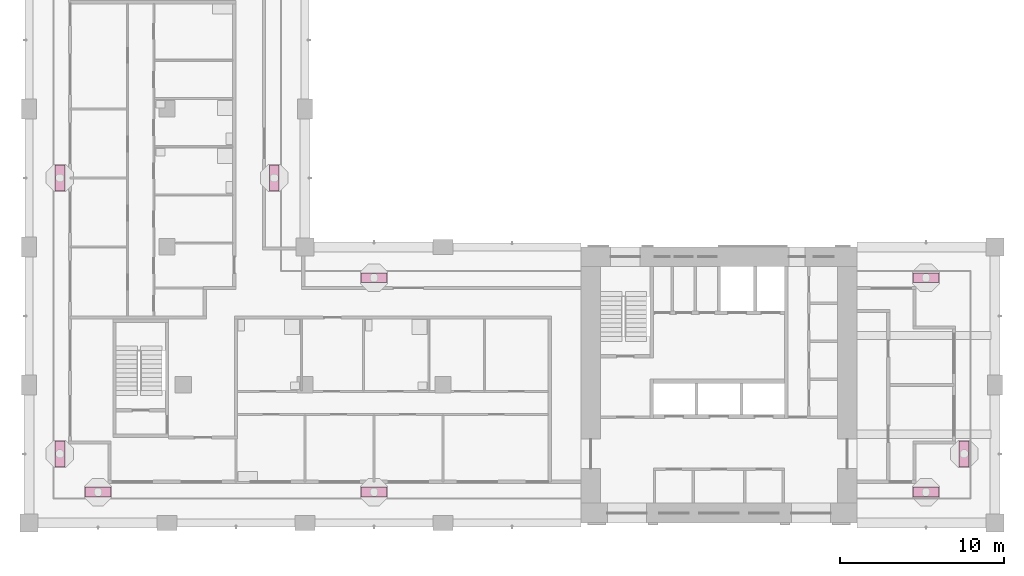
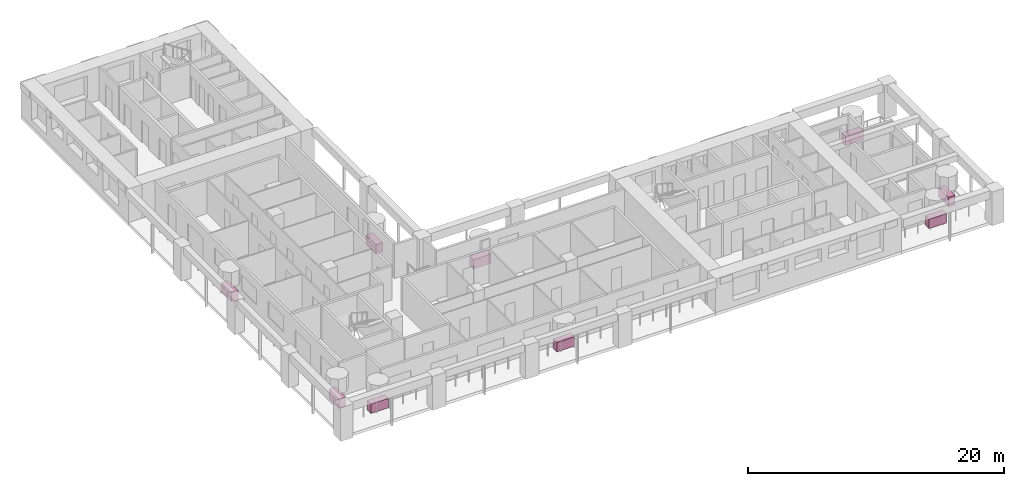
# One storey, part 12 of 13: 9 furniture elements.
"""IFC4 building model written with IfcOpenShell, lengths in metres."""

import ifcopenshell
import ifcopenshell.guid

model = None  # the IFC model being written
_history = None  # IfcOwnerHistory: only IFC2X3 demands one
_inside = {}  # id of a spatial element -> (the spatial element, [elements in it])
_under = {}  # id of a project, library or spatial element -> (it, [spatial elements below it])
_declared = {}  # id of a project -> (the project, [libraries it declares])
_typed = {}  # id of a type object -> (the type object, [elements of that type])
_made_of = {}  # id of a material, layer set ... -> (it, [elements and type objects made of it])


def new_model(schema):
    """Start an empty IFC model of exactly this schema.

    Asked for "IFC4X3", IfcOpenShell would pick the latest addendum, in which some entities
    have other attributes; the version numbers below select the first issue.
    IFC2X3 requires an IfcOwnerHistory on every rooted entity: one is made here for all.
    """
    global model, _history
    if schema == "IFC4X3":
        model = ifcopenshell.file(schema_version=(4, 3, 0, 0))
    else:
        model = ifcopenshell.file(schema=schema)
    _inside.clear()
    _under.clear()
    _declared.clear()
    _typed.clear()
    _made_of.clear()
    _history = None
    if model.schema == "IFC2X3":
        org = make("IfcOrganization", Name="unknown")
        user = make(
            "IfcPersonAndOrganization",
            ThePerson=make("IfcPerson", FamilyName="unknown"),
            TheOrganization=org,
        )
        app = make(
            "IfcApplication",
            ApplicationDeveloper=org,
            Version="unknown",
            ApplicationFullName="unknown",
            ApplicationIdentifier="unknown",
        )
        _history = make(
            "IfcOwnerHistory",
            OwningUser=user,
            OwningApplication=app,
            ChangeAction="ADDED",
            CreationDate=0,
        )
    return model


def make(cls, **values):
    """One entity of the class cls with the attributes given. An attribute that is None is left unset."""
    return model.create_entity(
        cls, **{name: value for name, value in values.items() if value is not None}
    )


def rooted(cls, **values):
    """An entity with a GlobalId (a new one), such as an element, a storey or a relation."""
    return make(cls, GlobalId=ifcopenshell.guid.new(), OwnerHistory=_history, **values)


def si_unit(unit_type, name, prefix=None):
    """IfcSIUnit, for example si_unit("LENGTHUNIT", "METRE", prefix="MILLI")."""
    return make("IfcSIUnit", UnitType=unit_type, Prefix=prefix, Name=name)


def assignment(units):
    """IfcUnitAssignment: the units of a project."""
    return None if units is None else make("IfcUnitAssignment", Units=units)


def point(xyz):
    """IfcCartesianPoint."""
    return None if xyz is None else make("IfcCartesianPoint", Coordinates=xyz)


def direction(xyz):
    """IfcDirection."""
    return None if xyz is None else make("IfcDirection", DirectionRatios=xyz)


def frame(location, z_axis=None, x_axis=None):
    """IfcAxis2Placement3D, a coordinate frame: its origin and axes. An axis left out is left unset."""
    return make(
        "IfcAxis2Placement3D",
        Location=point(location),
        Axis=direction(z_axis),
        RefDirection=direction(x_axis),
    )


def frame_2d(location, x_axis=None):
    """IfcAxis2Placement2D, a coordinate frame in the plane: its origin and x axis."""
    return make(
        "IfcAxis2Placement2D", Location=point(location), RefDirection=direction(x_axis)
    )


def origin():
    """The frame at (0, 0, 0) with its axes left unset."""
    return frame((0.0, 0.0, 0.0))


def origin_2d():
    """The frame at (0, 0) in the plane with its x axis left unset."""
    return frame_2d((0.0, 0.0))


def place(relative_to, where):
    """IfcLocalPlacement: puts the frame where relative to a parent placement (None: the world)."""
    return make(
        "IfcLocalPlacement", PlacementRelTo=relative_to, RelativePlacement=where
    )


def context(
    kind, dimensions, precision=None, world=None, true_north=None, identifier=None
):
    """IfcGeometricRepresentationContext, for example the 3D "Model" context."""
    return make(
        "IfcGeometricRepresentationContext",
        ContextIdentifier=identifier,
        ContextType=kind,
        CoordinateSpaceDimension=dimensions,
        Precision=precision,
        WorldCoordinateSystem=world,
        TrueNorth=true_north,
    )


def subcontext(parent, identifier, kind, view, scale=None):
    """IfcGeometricRepresentationSubContext, for example "Body" below "Model"."""
    return make(
        "IfcGeometricRepresentationSubContext",
        ContextIdentifier=identifier,
        ContextType=kind,
        ParentContext=parent,
        TargetScale=scale,
        TargetView=view,
    )


def project(units=None, contexts=None):
    """IfcProject with its units and contexts."""
    return rooted(
        "IfcProject",
        Name="project",
        RepresentationContexts=contexts,
        UnitsInContext=assignment(units),
    )


def spatial(cls, under=None, at=None, **own):
    """A site, building, storey or space (cls), placed at a placement, below another one or the project."""
    s = rooted(cls, ObjectPlacement=at, **own)
    if under is not None:
        _under.setdefault(under.id(), (under, []))[1].append(s)
    return s


def profile(cls, at=None, kind="AREA", **sizes):
    """A parametric profile (cls). Its sizes go by their IFC names, for example OverallWidth=200.0."""
    return make(cls, ProfileType=kind, Position=at, **sizes)


def rectangle(**sizes):
    """IfcRectangleProfileDef."""
    return profile("IfcRectangleProfileDef", **sizes)


def extrude(swept, where, along, depth):
    """IfcExtrudedAreaSolid: the profile swept, set in the frame where, extruded along a direction by depth."""
    return make(
        "IfcExtrudedAreaSolid",
        SweptArea=swept,
        Position=where,
        ExtrudedDirection=direction(along),
        Depth=depth,
    )


def shape(context_of_items, identifier, shape_type, items):
    """IfcShapeRepresentation: the items that make up one representation, for example the "Body"."""
    return make(
        "IfcShapeRepresentation",
        ContextOfItems=context_of_items,
        RepresentationIdentifier=identifier,
        RepresentationType=shape_type,
        Items=items,
    )


def material(Name=None, Category=None):
    """IfcMaterial."""
    return make("IfcMaterial", Name=Name, Category=Category)


def made_of(thing, what):
    """Note that an element or type object is made of a material, layer set ...; save() writes the relation."""
    if what is not None:
        _made_of.setdefault(what.id(), (what, []))[1].append(thing)
    return thing


def element(
    cls,
    number,
    at=None,
    inside=None,
    cuts=None,
    type_object=None,
    material=None,
    context=None,
    identifier="Body",
    shape_type=None,
    held_by="IfcProductDefinitionShape",
    body=None,
    shapes=None,
    **own,
):
    """One element of the class cls, such as IfcWall. Its Tag is "e" and its number.

    at: its placement. inside: the storey or other place that contains it. cuts: it is an
    opening in that element (IfcRelVoidsElement). A single representation is given by context,
    identifier, shape_type and body (its items); several are given by shapes. held_by: the class
    of the entity that holds the representations. save() writes the other relations.
    """
    e = rooted(cls, Tag="e%d" % number, ObjectPlacement=at, **own)
    if body is not None:
        shapes = [shape(context, identifier, shape_type, body)]
    if shapes is not None:
        e.Representation = make(held_by, Representations=shapes)
    if inside is not None:
        _inside.setdefault(inside.id(), (inside, []))[1].append(e)
    if cuts is not None:
        rooted(
            "IfcRelVoidsElement", RelatingBuildingElement=cuts, RelatedOpeningElement=e
        )
    if type_object is not None:
        _typed.setdefault(type_object.id(), (type_object, []))[1].append(e)
    return made_of(e, material)


def aggregate(whole, parts):
    """IfcRelAggregates: a whole, such as a stair, and the parts it consists of."""
    return rooted("IfcRelAggregates", RelatingObject=whole, RelatedObjects=parts)


def save(model, path):
    """Write the relations noted so far, then the file.

    IfcRelAggregates (storeys below a building ...), IfcRelContainedInSpatialStructure (elements
    in a storey), IfcRelDefinesByType, IfcRelAssociatesMaterial and IfcRelDeclares: one each for
    every whole, place, type object, material and project.
    """
    for whole, parts in _under.values():
        aggregate(whole, parts)
    for where, things in _inside.values():
        rooted(
            "IfcRelContainedInSpatialStructure",
            RelatedElements=things,
            RelatingStructure=where,
        )
    for kind, things in _typed.values():
        rooted("IfcRelDefinesByType", RelatedObjects=things, RelatingType=kind)
    for what, things in _made_of.values():
        rooted("IfcRelAssociatesMaterial", RelatedObjects=things, RelatingMaterial=what)
    for by, libraries in _declared.values():
        rooted("IfcRelDeclares", RelatingContext=by, RelatedDefinitions=libraries)
    model.write(path)


model = new_model("IFC4")

# Units and contexts
model_context = context("Model", 3, precision=1e-05, world=origin(), true_north=direction((0.0, 1.0)))
body_context = subcontext(model_context, "Body", "Model", "MODEL_VIEW")
ifc_project = project(units=[si_unit("LENGTHUNIT", "METRE"), si_unit("AREAUNIT", "SQUARE_METRE"), si_unit("VOLUMEUNIT", "CUBIC_METRE"), si_unit("PLANEANGLEUNIT", "RADIAN"), si_unit("MASSUNIT", "GRAM", prefix="KILO")], contexts=[model_context])

# Site, building, storey
site_placement = place(None, origin())
site = spatial("IfcSite", under=ifc_project, at=site_placement, CompositionType="ELEMENT")
building_placement = place(site_placement, origin())
building = spatial("IfcBuilding", under=site, at=building_placement, Name="Vermilion Gate Residences", CompositionType="ELEMENT")
storey_placement = place(building_placement, frame((0.0, 0.0, 158.199951171875)))
storey = spatial("IfcBuildingStorey", under=building, at=storey_placement, Name="L40", CompositionType="ELEMENT", Elevation=158.199951171875)

# Furniture
ifc_material = material(Name="Terracotta planter", Category="masonry")
for number, where, z_axis, x_axis, name in (
    (1, (12.60009765625, 10.27490234375, 0.0), (0.0, 0.0, 1.0), (1.0, 0.0, 0.0), "PLANTER"),
    (2, (29.39990234375, 10.27490234375, 0.0), (0.0, 0.0, 1.0), (1.0, 0.0, 0.0), "PLANTER"),
    (3, (63.0, 10.27490234375, 0.0), (0.0, 0.0, 1.0), (1.0, 0.0, 0.0), "PLANTER"),
    (4, (65.324951171875, 12.60009765625, 0.0), (0.0, 0.0, 1.0), (0.0, 1.0, 0.0), "PLANTER"),
    (5, (29.39990234375, 23.324951171875, 0.0), (0.0, 0.0, 1.0), (-1.0, 0.0, 0.0), "PLANTER"),
    (6, (63.0, 23.324951171875, 0.0), (0.0, 0.0, 1.0), (-1.0, 0.0, 0.0), "PLANTER"),
    (7, (23.324951171875, 29.39990234375, 0.0), (0.0, 0.0, 1.0), (0.0, 1.0, 0.0), "PLANTER"),
    (8, (10.27490234375, 12.60009765625, 0.0), (0.0, 0.0, 1.0), (0.0, -1.0, 0.0), "PLANTER"),
    (9, (10.27490234375, 29.39990234375, 0.0), (0.0, 0.0, 1.0), (0.0, -1.0, 0.0), "PLANTER"),
):
    element("IfcFurniture", number, at=place(storey_placement, frame(where, z_axis=z_axis, x_axis=x_axis)), inside=storey, material=ifc_material, Name=name, ObjectType="PLANTER", PredefinedType="USERDEFINED", context=body_context, shape_type="SweptSolid", body=[
        extrude(rectangle(XDim=1.60009765625, YDim=0.60009765625, at=origin_2d()), origin(), (0.0, 0.0, 1.0), 0.89990234375),
    ])

save(model, "model.ifc")
